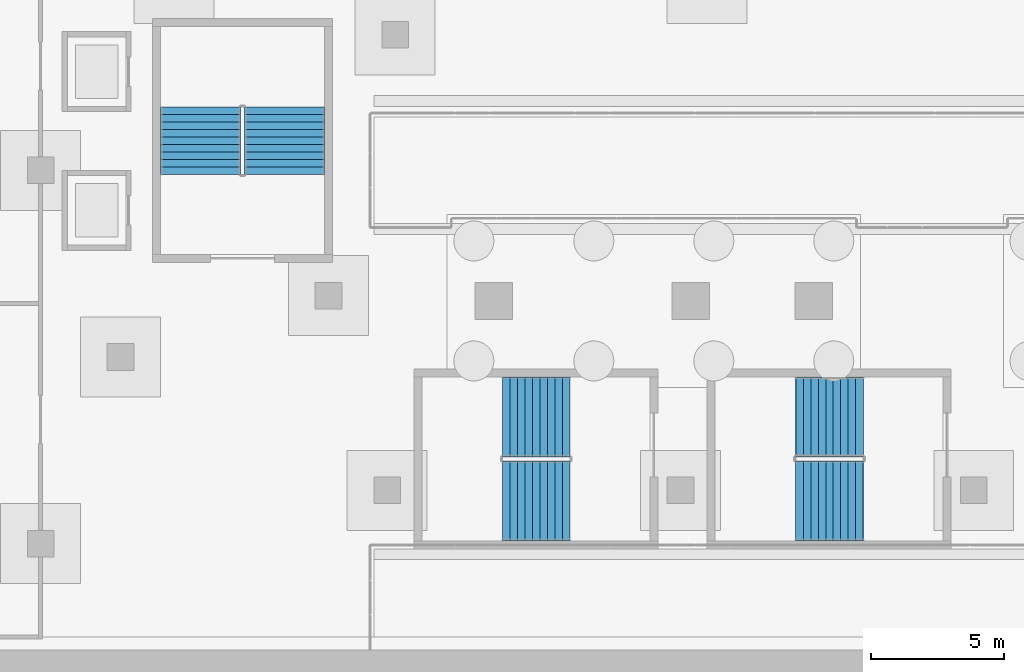
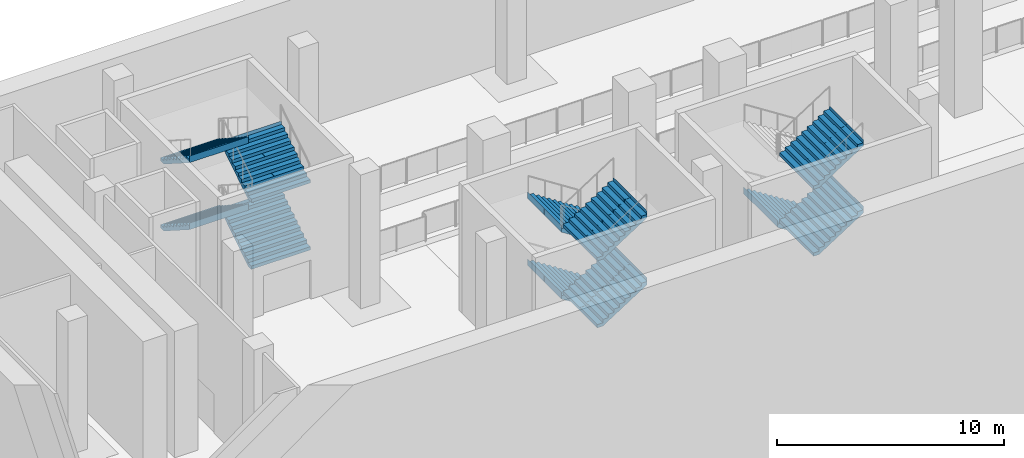
# One storey, part 6 of 15: 11 stair flights, 3 elements without a shape of their own.
"""IFC4 building model written with IfcOpenShell, lengths in metres."""

from ifc_helpers import new_model, si_unit, direction, frame, origin, place, context, subcontext, project, spatial, polyline, outline, extrude, material, type_object, element, aggregate, save


model = new_model("IFC4")

# Units and contexts
model_context = context("Model", 3, precision=1e-05, world=origin(), true_north=direction((0.0, 1.0)))
body_context = subcontext(model_context, "Body", "Model", "MODEL_VIEW")
ifc_project = project(units=[si_unit("LENGTHUNIT", "METRE"), si_unit("AREAUNIT", "SQUARE_METRE"), si_unit("VOLUMEUNIT", "CUBIC_METRE"), si_unit("PLANEANGLEUNIT", "RADIAN"), si_unit("MASSUNIT", "GRAM", prefix="KILO")], contexts=[model_context])

# Site, building, storey
site_placement = place(None, origin())
site = spatial("IfcSite", under=ifc_project, at=site_placement, CompositionType="ELEMENT")
building_placement = place(site_placement, origin())
building = spatial("IfcBuilding", under=site, at=building_placement, Name="Wharfspan Tower", CompositionType="ELEMENT")
storey_placement = place(building_placement, frame((0.0, 0.0, -14.399902)))
storey = spatial("IfcBuildingStorey", under=building, at=storey_placement, Name="B2", CompositionType="ELEMENT", Elevation=-14.399902)

# Stair, stair flights
ifc_material = material(Name="Concrete C40/50", Category="concrete")
stair_type = type_object("IfcStairType", Name="Half-turn stair 3000 wide 40 risers 180 mm", PredefinedType="HALF_TURN_STAIR", material=ifc_material)
stair_1_placement = place(storey_placement, origin())
stair_1 = element("IfcStair", 1, at=stair_1_placement, inside=storey, type_object=stair_type, Name="B2 stair SB1", PredefinedType="HALF_TURN_STAIR")
stair_flight_type = type_object("IfcStairFlightType", Name="Stair flight 3000 wide 40 risers 180 mm", PredefinedType="STRAIGHT", material=ifc_material)
stair_flight_1_placement = place(storey_placement, frame((14.850098, -26.25, 0.0), z_axis=(0.0, 0.0, 1.0), x_axis=(-1.0, 0.0, 0.0)))
stair_flight_1 = element("IfcStairFlight", 2, at=stair_flight_1_placement, type_object=stair_flight_type, Name="SB1 flight 1", NumberOfRisers=10, NumberOfTreads=9, PredefinedType="STRAIGHT", RiserHeight=0.18, TreadLength=0.28, context=body_context, shape_type="SweptSolid", body=[
    extrude(outline(polyline([(-0.011963, 0.0), (-0.011963, 0.179932), (0.0, 0.179932), (0.280029, 0.179932), (0.280029, 0.360107), (0.560059, 0.360107), (0.560059, 0.540039), (0.840088, 0.540039), (0.840088, 0.719971), (1.120117, 0.719971), (1.120117, 0.899902), (1.399902, 0.899902), (1.399902, 1.080078), (1.679932, 1.080078), (1.679932, 1.26001), (1.959961, 1.26001), (1.959961, 1.439941), (2.23999, 1.439941), (2.23999, 1.620117), (2.52002, 1.620117), (2.531982, 1.800049), (2.531982, 1.441895), (0.2771, 0.0), (-0.011963, 0.0)])), frame((0.0, 1.5, 0.0), z_axis=(0.0, -1.0, 0.0), x_axis=(1.0, 0.0, 0.0)), (0.0, 0.0, 1.0), 1.479492),
    extrude(outline(polyline([(-0.011963, 0.0), (-0.011963, 0.179932), (0.0, 0.179932), (0.280029, 0.179932), (0.280029, 0.360107), (0.560059, 0.360107), (0.560059, 0.540039), (0.840088, 0.540039), (0.840088, 0.719971), (1.120117, 0.719971), (1.120117, 0.899902), (1.399902, 0.899902), (1.399902, 1.080078), (1.679932, 1.080078), (1.679932, 1.26001), (1.959961, 1.26001), (1.959961, 1.439941), (2.23999, 1.439941), (2.23999, 1.620117), (2.52002, 1.620117), (2.531982, 1.800049), (2.531982, 1.441895), (0.2771, 0.0), (-0.011963, 0.0)])), frame((0.0, 0.019531, 0.0), z_axis=(0.0, -1.0, 0.0), x_axis=(1.0, 0.0, 0.0)), (0.0, 0.0, 1.0), 0.019043),
    extrude(outline(polyline([(-0.011963, 0.0), (-0.011963, 0.179932), (0.0, 0.179932), (0.280029, 0.179932), (0.280029, 0.360107), (0.560059, 0.360107), (0.560059, 0.540039), (0.840088, 0.540039), (0.840088, 0.719971), (1.120117, 0.719971), (1.120117, 0.899902), (1.399902, 0.899902), (1.399902, 1.080078), (1.679932, 1.080078), (1.679932, 1.26001), (1.959961, 1.26001), (1.959961, 1.439941), (2.23999, 1.439941), (2.23999, 1.620117), (2.52002, 1.620117), (2.531982, 1.800049), (2.531982, 1.441895), (0.2771, 0.0), (-0.011963, 0.0)])), frame((0.0, -0.000488, 0.0), z_axis=(0.0, -1.0, 0.0), x_axis=(1.0, 0.0, 0.0)), (0.0, 0.0, 1.0), 0.019043),
    extrude(outline(polyline([(-0.011963, 0.0), (-0.011963, 0.179932), (0.0, 0.179932), (0.280029, 0.179932), (0.280029, 0.360107), (0.560059, 0.360107), (0.560059, 0.540039), (0.840088, 0.540039), (0.840088, 0.719971), (1.120117, 0.719971), (1.120117, 0.899902), (1.399902, 0.899902), (1.399902, 1.080078), (1.679932, 1.080078), (1.679932, 1.26001), (1.959961, 1.26001), (1.959961, 1.439941), (2.23999, 1.439941), (2.23999, 1.620117), (2.52002, 1.620117), (2.531982, 1.800049), (2.531982, 1.441895), (0.2771, 0.0), (-0.011963, 0.0)])), frame((0.0, -0.020508, 0.0), z_axis=(0.0, -1.0, 0.0), x_axis=(1.0, 0.0, 0.0)), (0.0, 0.0, 1.0), 1.479492),
])
stair_flight_2_placement = place(storey_placement, frame((12.330078, -29.399902, 1.799805), z_axis=(0.0, 0.0, 1.0), x_axis=(1.0, 0.0, 0.0)))
stair_flight_2 = element("IfcStairFlight", 3, at=stair_flight_2_placement, type_object=stair_flight_type, Name="SB1 flight 2", NumberOfRisers=10, NumberOfTreads=9, PredefinedType="STRAIGHT", RiserHeight=0.18, TreadLength=0.28, context=body_context, shape_type="SweptSolid", body=[
    extrude(outline(polyline([(-0.011963, 0.0), (-0.011963, 0.179932), (0.0, 0.179932), (0.280029, 0.179932), (0.280029, 0.360107), (0.560059, 0.360107), (0.560059, 0.540039), (0.840088, 0.540039), (0.840088, 0.719971), (1.120117, 0.719971), (1.120117, 0.899902), (1.399902, 0.899902), (1.399902, 1.080078), (1.679932, 1.080078), (1.679932, 1.26001), (1.959961, 1.26001), (1.959961, 1.439941), (2.23999, 1.439941), (2.23999, 1.620117), (2.52002, 1.620117), (2.531982, 1.800049), (2.531982, 1.441895), (0.2771, 0.0), (-0.011963, 0.0)])), frame((0.0, 1.5, 0.0), z_axis=(0.0, -1.0, 0.0), x_axis=(1.0, 0.0, 0.0)), (0.0, 0.0, 1.0), 1.479492),
    extrude(outline(polyline([(-0.011963, 0.0), (-0.011963, 0.179932), (0.0, 0.179932), (0.280029, 0.179932), (0.280029, 0.360107), (0.560059, 0.360107), (0.560059, 0.540039), (0.840088, 0.540039), (0.840088, 0.719971), (1.120117, 0.719971), (1.120117, 0.899902), (1.399902, 0.899902), (1.399902, 1.080078), (1.679932, 1.080078), (1.679932, 1.26001), (1.959961, 1.26001), (1.959961, 1.439941), (2.23999, 1.439941), (2.23999, 1.620117), (2.52002, 1.620117), (2.531982, 1.800049), (2.531982, 1.441895), (0.2771, 0.0), (-0.011963, 0.0)])), frame((0.0, 0.019531, 0.0), z_axis=(0.0, -1.0, 0.0), x_axis=(1.0, 0.0, 0.0)), (0.0, 0.0, 1.0), 0.019043),
    extrude(outline(polyline([(-0.011963, 0.0), (-0.011963, 0.179932), (0.0, 0.179932), (0.280029, 0.179932), (0.280029, 0.360107), (0.560059, 0.360107), (0.560059, 0.540039), (0.840088, 0.540039), (0.840088, 0.719971), (1.120117, 0.719971), (1.120117, 0.899902), (1.399902, 0.899902), (1.399902, 1.080078), (1.679932, 1.080078), (1.679932, 1.26001), (1.959961, 1.26001), (1.959961, 1.439941), (2.23999, 1.439941), (2.23999, 1.620117), (2.52002, 1.620117), (2.531982, 1.800049), (2.531982, 1.441895), (0.2771, 0.0), (-0.011963, 0.0)])), frame((0.0, -0.000488, 0.0), z_axis=(0.0, -1.0, 0.0), x_axis=(1.0, 0.0, 0.0)), (0.0, 0.0, 1.0), 0.019043),
    extrude(outline(polyline([(-0.011963, 0.0), (-0.011963, 0.179932), (0.0, 0.179932), (0.280029, 0.179932), (0.280029, 0.360107), (0.560059, 0.360107), (0.560059, 0.540039), (0.840088, 0.540039), (0.840088, 0.719971), (1.120117, 0.719971), (1.120117, 0.899902), (1.399902, 0.899902), (1.399902, 1.080078), (1.679932, 1.080078), (1.679932, 1.26001), (1.959961, 1.26001), (1.959961, 1.439941), (2.23999, 1.439941), (2.23999, 1.620117), (2.52002, 1.620117), (2.531982, 1.800049), (2.531982, 1.441895), (0.2771, 0.0), (-0.011963, 0.0)])), frame((0.0, -0.020508, 0.0), z_axis=(0.0, -1.0, 0.0), x_axis=(1.0, 0.0, 0.0)), (0.0, 0.0, 1.0), 1.479492),
])
stair_flight_3_placement = place(storey_placement, frame((14.850098, -26.25, 3.599854), z_axis=(0.0, 0.0, 1.0), x_axis=(-1.0, 0.0, 0.0)))
stair_flight_3 = element("IfcStairFlight", 4, at=stair_flight_3_placement, type_object=stair_flight_type, Name="SB1 flight 3", NumberOfRisers=10, NumberOfTreads=9, PredefinedType="STRAIGHT", RiserHeight=0.18, TreadLength=0.28, context=body_context, shape_type="SweptSolid", body=[
    extrude(outline(polyline([(-0.011963, 0.0), (-0.011963, 0.179932), (0.0, 0.179932), (0.280029, 0.179932), (0.280029, 0.360107), (0.560059, 0.360107), (0.560059, 0.540039), (0.840088, 0.540039), (0.840088, 0.719971), (1.120117, 0.719971), (1.120117, 0.899902), (1.399902, 0.899902), (1.399902, 1.080078), (1.679932, 1.080078), (1.679932, 1.26001), (1.959961, 1.26001), (1.959961, 1.439941), (2.23999, 1.439941), (2.23999, 1.620117), (2.52002, 1.620117), (2.531982, 1.800049), (2.531982, 1.441895), (0.2771, 0.0), (-0.011963, 0.0)])), frame((0.0, 1.5, 0.0), z_axis=(0.0, -1.0, 0.0), x_axis=(1.0, 0.0, 0.0)), (0.0, 0.0, 1.0), 1.479492),
    extrude(outline(polyline([(-0.011963, 0.0), (-0.011963, 0.179932), (0.0, 0.179932), (0.280029, 0.179932), (0.280029, 0.360107), (0.560059, 0.360107), (0.560059, 0.540039), (0.840088, 0.540039), (0.840088, 0.719971), (1.120117, 0.719971), (1.120117, 0.899902), (1.399902, 0.899902), (1.399902, 1.080078), (1.679932, 1.080078), (1.679932, 1.26001), (1.959961, 1.26001), (1.959961, 1.439941), (2.23999, 1.439941), (2.23999, 1.620117), (2.52002, 1.620117), (2.531982, 1.800049), (2.531982, 1.441895), (0.2771, 0.0), (-0.011963, 0.0)])), frame((0.0, 0.019531, 0.0), z_axis=(0.0, -1.0, 0.0), x_axis=(1.0, 0.0, 0.0)), (0.0, 0.0, 1.0), 0.019043),
    extrude(outline(polyline([(-0.011963, 0.0), (-0.011963, 0.179932), (0.0, 0.179932), (0.280029, 0.179932), (0.280029, 0.360107), (0.560059, 0.360107), (0.560059, 0.540039), (0.840088, 0.540039), (0.840088, 0.719971), (1.120117, 0.719971), (1.120117, 0.899902), (1.399902, 0.899902), (1.399902, 1.080078), (1.679932, 1.080078), (1.679932, 1.26001), (1.959961, 1.26001), (1.959961, 1.439941), (2.23999, 1.439941), (2.23999, 1.620117), (2.52002, 1.620117), (2.531982, 1.800049), (2.531982, 1.441895), (0.2771, 0.0), (-0.011963, 0.0)])), frame((0.0, -0.000488, 0.0), z_axis=(0.0, -1.0, 0.0), x_axis=(1.0, 0.0, 0.0)), (0.0, 0.0, 1.0), 0.019043),
    extrude(outline(polyline([(-0.011963, 0.0), (-0.011963, 0.179932), (0.0, 0.179932), (0.280029, 0.179932), (0.280029, 0.360107), (0.560059, 0.360107), (0.560059, 0.540039), (0.840088, 0.540039), (0.840088, 0.719971), (1.120117, 0.719971), (1.120117, 0.899902), (1.399902, 0.899902), (1.399902, 1.080078), (1.679932, 1.080078), (1.679932, 1.26001), (1.959961, 1.26001), (1.959961, 1.439941), (2.23999, 1.439941), (2.23999, 1.620117), (2.52002, 1.620117), (2.531982, 1.800049), (2.531982, 1.441895), (0.2771, 0.0), (-0.011963, 0.0)])), frame((0.0, -0.020508, 0.0), z_axis=(0.0, -1.0, 0.0), x_axis=(1.0, 0.0, 0.0)), (0.0, 0.0, 1.0), 1.479492),
])
stair_flight_4_placement = place(storey_placement, frame((12.330078, -29.399902, 5.399902), z_axis=(0.0, 0.0, 1.0), x_axis=(1.0, 0.0, 0.0)))
stair_flight_4 = element("IfcStairFlight", 5, at=stair_flight_4_placement, type_object=stair_flight_type, Name="SB1 flight 4", NumberOfRisers=10, NumberOfTreads=9, PredefinedType="STRAIGHT", RiserHeight=0.18, TreadLength=0.28, context=body_context, shape_type="SweptSolid", body=[
    extrude(outline(polyline([(-0.011963, 0.0), (-0.011963, 0.179932), (0.0, 0.179932), (0.280029, 0.179932), (0.280029, 0.360107), (0.560059, 0.360107), (0.560059, 0.540039), (0.840088, 0.540039), (0.840088, 0.719971), (1.120117, 0.719971), (1.120117, 0.899902), (1.399902, 0.899902), (1.399902, 1.080078), (1.679932, 1.080078), (1.679932, 1.26001), (1.959961, 1.26001), (1.959961, 1.439941), (2.23999, 1.439941), (2.23999, 1.620117), (2.52002, 1.620117), (2.531982, 1.800049), (2.531982, 1.441895), (0.2771, 0.0), (-0.011963, 0.0)])), frame((0.0, 1.5, 0.0), z_axis=(0.0, -1.0, 0.0), x_axis=(1.0, 0.0, 0.0)), (0.0, 0.0, 1.0), 1.479492),
    extrude(outline(polyline([(-0.011963, 0.0), (-0.011963, 0.179932), (0.0, 0.179932), (0.280029, 0.179932), (0.280029, 0.360107), (0.560059, 0.360107), (0.560059, 0.540039), (0.840088, 0.540039), (0.840088, 0.719971), (1.120117, 0.719971), (1.120117, 0.899902), (1.399902, 0.899902), (1.399902, 1.080078), (1.679932, 1.080078), (1.679932, 1.26001), (1.959961, 1.26001), (1.959961, 1.439941), (2.23999, 1.439941), (2.23999, 1.620117), (2.52002, 1.620117), (2.531982, 1.800049), (2.531982, 1.441895), (0.2771, 0.0), (-0.011963, 0.0)])), frame((0.0, 0.019531, 0.0), z_axis=(0.0, -1.0, 0.0), x_axis=(1.0, 0.0, 0.0)), (0.0, 0.0, 1.0), 0.019043),
    extrude(outline(polyline([(-0.011963, 0.0), (-0.011963, 0.179932), (0.0, 0.179932), (0.280029, 0.179932), (0.280029, 0.360107), (0.560059, 0.360107), (0.560059, 0.540039), (0.840088, 0.540039), (0.840088, 0.719971), (1.120117, 0.719971), (1.120117, 0.899902), (1.399902, 0.899902), (1.399902, 1.080078), (1.679932, 1.080078), (1.679932, 1.26001), (1.959961, 1.26001), (1.959961, 1.439941), (2.23999, 1.439941), (2.23999, 1.620117), (2.52002, 1.620117), (2.531982, 1.800049), (2.531982, 1.441895), (0.2771, 0.0), (-0.011963, 0.0)])), frame((0.0, -0.000488, 0.0), z_axis=(0.0, -1.0, 0.0), x_axis=(1.0, 0.0, 0.0)), (0.0, 0.0, 1.0), 0.019043),
    extrude(outline(polyline([(-0.011963, 0.0), (-0.011963, 0.179932), (0.0, 0.179932), (0.280029, 0.179932), (0.280029, 0.360107), (0.560059, 0.360107), (0.560059, 0.540039), (0.840088, 0.540039), (0.840088, 0.719971), (1.120117, 0.719971), (1.120117, 0.899902), (1.399902, 0.899902), (1.399902, 1.080078), (1.679932, 1.080078), (1.679932, 1.26001), (1.959961, 1.26001), (1.959961, 1.439941), (2.23999, 1.439941), (2.23999, 1.620117), (2.52002, 1.620117), (2.531982, 1.800049), (2.531982, 1.441895), (0.2771, 0.0), (-0.011963, 0.0)])), frame((0.0, -0.020508, 0.0), z_axis=(0.0, -1.0, 0.0), x_axis=(1.0, 0.0, 0.0)), (0.0, 0.0, 1.0), 1.479492),
])
aggregate(stair_1, [stair_flight_1, stair_flight_2, stair_flight_3, stair_flight_4])

stair_2_placement = place(storey_placement, origin())
stair_2 = element("IfcStair", 6, at=stair_2_placement, inside=storey, type_object=stair_type, Name="B2 stair SB2", PredefinedType="HALF_TURN_STAIR")
stair_flight_5_placement = place(storey_placement, frame((25.850098, -26.25, 0.0), z_axis=(0.0, 0.0, 1.0), x_axis=(-1.0, 0.0, 0.0)))
stair_flight_5 = element("IfcStairFlight", 7, at=stair_flight_5_placement, type_object=stair_flight_type, Name="SB2 flight 1", NumberOfRisers=10, NumberOfTreads=9, PredefinedType="STRAIGHT", RiserHeight=0.18, TreadLength=0.28, context=body_context, shape_type="SweptSolid", body=[
    extrude(outline(polyline([(-0.011963, 0.0), (-0.011963, 0.179932), (0.0, 0.179932), (0.280029, 0.179932), (0.280029, 0.360107), (0.560059, 0.360107), (0.560059, 0.540039), (0.840088, 0.540039), (0.840088, 0.719971), (1.120117, 0.719971), (1.120117, 0.899902), (1.399902, 0.899902), (1.399902, 1.080078), (1.679932, 1.080078), (1.679932, 1.26001), (1.959961, 1.26001), (1.959961, 1.439941), (2.23999, 1.439941), (2.23999, 1.620117), (2.52002, 1.620117), (2.531982, 1.800049), (2.531982, 1.441895), (0.2771, 0.0), (-0.011963, 0.0)])), frame((0.0, 1.5, 0.0), z_axis=(0.0, -1.0, 0.0), x_axis=(1.0, 0.0, 0.0)), (0.0, 0.0, 1.0), 1.479492),
    extrude(outline(polyline([(-0.011963, 0.0), (-0.011963, 0.179932), (0.0, 0.179932), (0.280029, 0.179932), (0.280029, 0.360107), (0.560059, 0.360107), (0.560059, 0.540039), (0.840088, 0.540039), (0.840088, 0.719971), (1.120117, 0.719971), (1.120117, 0.899902), (1.399902, 0.899902), (1.399902, 1.080078), (1.679932, 1.080078), (1.679932, 1.26001), (1.959961, 1.26001), (1.959961, 1.439941), (2.23999, 1.439941), (2.23999, 1.620117), (2.52002, 1.620117), (2.531982, 1.800049), (2.531982, 1.441895), (0.2771, 0.0), (-0.011963, 0.0)])), frame((0.0, 0.019531, 0.0), z_axis=(0.0, -1.0, 0.0), x_axis=(1.0, 0.0, 0.0)), (0.0, 0.0, 1.0), 0.019043),
    extrude(outline(polyline([(-0.011963, 0.0), (-0.011963, 0.179932), (0.0, 0.179932), (0.280029, 0.179932), (0.280029, 0.360107), (0.560059, 0.360107), (0.560059, 0.540039), (0.840088, 0.540039), (0.840088, 0.719971), (1.120117, 0.719971), (1.120117, 0.899902), (1.399902, 0.899902), (1.399902, 1.080078), (1.679932, 1.080078), (1.679932, 1.26001), (1.959961, 1.26001), (1.959961, 1.439941), (2.23999, 1.439941), (2.23999, 1.620117), (2.52002, 1.620117), (2.531982, 1.800049), (2.531982, 1.441895), (0.2771, 0.0), (-0.011963, 0.0)])), frame((0.0, -0.000488, 0.0), z_axis=(0.0, -1.0, 0.0), x_axis=(1.0, 0.0, 0.0)), (0.0, 0.0, 1.0), 0.019043),
    extrude(outline(polyline([(-0.011963, 0.0), (-0.011963, 0.179932), (0.0, 0.179932), (0.280029, 0.179932), (0.280029, 0.360107), (0.560059, 0.360107), (0.560059, 0.540039), (0.840088, 0.540039), (0.840088, 0.719971), (1.120117, 0.719971), (1.120117, 0.899902), (1.399902, 0.899902), (1.399902, 1.080078), (1.679932, 1.080078), (1.679932, 1.26001), (1.959961, 1.26001), (1.959961, 1.439941), (2.23999, 1.439941), (2.23999, 1.620117), (2.52002, 1.620117), (2.531982, 1.800049), (2.531982, 1.441895), (0.2771, 0.0), (-0.011963, 0.0)])), frame((0.0, -0.020508, 0.0), z_axis=(0.0, -1.0, 0.0), x_axis=(1.0, 0.0, 0.0)), (0.0, 0.0, 1.0), 1.479492),
])
stair_flight_6_placement = place(storey_placement, frame((23.330078, -29.399902, 1.799805), z_axis=(0.0, 0.0, 1.0), x_axis=(1.0, 0.0, 0.0)))
stair_flight_6 = element("IfcStairFlight", 8, at=stair_flight_6_placement, type_object=stair_flight_type, Name="SB2 flight 2", NumberOfRisers=10, NumberOfTreads=9, PredefinedType="STRAIGHT", RiserHeight=0.18, TreadLength=0.28, context=body_context, shape_type="SweptSolid", body=[
    extrude(outline(polyline([(-0.011963, 0.0), (-0.011963, 0.179932), (0.0, 0.179932), (0.280029, 0.179932), (0.280029, 0.360107), (0.560059, 0.360107), (0.560059, 0.540039), (0.840088, 0.540039), (0.840088, 0.719971), (1.120117, 0.719971), (1.120117, 0.899902), (1.399902, 0.899902), (1.399902, 1.080078), (1.679932, 1.080078), (1.679932, 1.26001), (1.959961, 1.26001), (1.959961, 1.439941), (2.23999, 1.439941), (2.23999, 1.620117), (2.52002, 1.620117), (2.531982, 1.800049), (2.531982, 1.441895), (0.2771, 0.0), (-0.011963, 0.0)])), frame((0.0, 1.5, 0.0), z_axis=(0.0, -1.0, 0.0), x_axis=(1.0, 0.0, 0.0)), (0.0, 0.0, 1.0), 1.479492),
    extrude(outline(polyline([(-0.011963, 0.0), (-0.011963, 0.179932), (0.0, 0.179932), (0.280029, 0.179932), (0.280029, 0.360107), (0.560059, 0.360107), (0.560059, 0.540039), (0.840088, 0.540039), (0.840088, 0.719971), (1.120117, 0.719971), (1.120117, 0.899902), (1.399902, 0.899902), (1.399902, 1.080078), (1.679932, 1.080078), (1.679932, 1.26001), (1.959961, 1.26001), (1.959961, 1.439941), (2.23999, 1.439941), (2.23999, 1.620117), (2.52002, 1.620117), (2.531982, 1.800049), (2.531982, 1.441895), (0.2771, 0.0), (-0.011963, 0.0)])), frame((0.0, 0.019531, 0.0), z_axis=(0.0, -1.0, 0.0), x_axis=(1.0, 0.0, 0.0)), (0.0, 0.0, 1.0), 0.019043),
    extrude(outline(polyline([(-0.011963, 0.0), (-0.011963, 0.179932), (0.0, 0.179932), (0.280029, 0.179932), (0.280029, 0.360107), (0.560059, 0.360107), (0.560059, 0.540039), (0.840088, 0.540039), (0.840088, 0.719971), (1.120117, 0.719971), (1.120117, 0.899902), (1.399902, 0.899902), (1.399902, 1.080078), (1.679932, 1.080078), (1.679932, 1.26001), (1.959961, 1.26001), (1.959961, 1.439941), (2.23999, 1.439941), (2.23999, 1.620117), (2.52002, 1.620117), (2.531982, 1.800049), (2.531982, 1.441895), (0.2771, 0.0), (-0.011963, 0.0)])), frame((0.0, -0.000488, 0.0), z_axis=(0.0, -1.0, 0.0), x_axis=(1.0, 0.0, 0.0)), (0.0, 0.0, 1.0), 0.019043),
    extrude(outline(polyline([(-0.011963, 0.0), (-0.011963, 0.179932), (0.0, 0.179932), (0.280029, 0.179932), (0.280029, 0.360107), (0.560059, 0.360107), (0.560059, 0.540039), (0.840088, 0.540039), (0.840088, 0.719971), (1.120117, 0.719971), (1.120117, 0.899902), (1.399902, 0.899902), (1.399902, 1.080078), (1.679932, 1.080078), (1.679932, 1.26001), (1.959961, 1.26001), (1.959961, 1.439941), (2.23999, 1.439941), (2.23999, 1.620117), (2.52002, 1.620117), (2.531982, 1.800049), (2.531982, 1.441895), (0.2771, 0.0), (-0.011963, 0.0)])), frame((0.0, -0.020508, 0.0), z_axis=(0.0, -1.0, 0.0), x_axis=(1.0, 0.0, 0.0)), (0.0, 0.0, 1.0), 1.479492),
])
stair_flight_7_placement = place(storey_placement, frame((23.330078, -29.399902, 5.399902), z_axis=(0.0, 0.0, 1.0), x_axis=(1.0, 0.0, 0.0)))
stair_flight_7 = element("IfcStairFlight", 9, at=stair_flight_7_placement, type_object=stair_flight_type, Name="SB2 flight 4", NumberOfRisers=10, NumberOfTreads=9, PredefinedType="STRAIGHT", RiserHeight=0.18, TreadLength=0.28, context=body_context, shape_type="SweptSolid", body=[
    extrude(outline(polyline([(-0.011963, 0.0), (-0.011963, 0.179932), (0.0, 0.179932), (0.280029, 0.179932), (0.280029, 0.360107), (0.560059, 0.360107), (0.560059, 0.540039), (0.840088, 0.540039), (0.840088, 0.719971), (1.120117, 0.719971), (1.120117, 0.899902), (1.399902, 0.899902), (1.399902, 1.080078), (1.679932, 1.080078), (1.679932, 1.26001), (1.959961, 1.26001), (1.959961, 1.439941), (2.23999, 1.439941), (2.23999, 1.620117), (2.52002, 1.620117), (2.531982, 1.800049), (2.531982, 1.441895), (0.2771, 0.0), (-0.011963, 0.0)])), frame((0.0, 1.5, 0.0), z_axis=(0.0, -1.0, 0.0), x_axis=(1.0, 0.0, 0.0)), (0.0, 0.0, 1.0), 1.479492),
    extrude(outline(polyline([(-0.011963, 0.0), (-0.011963, 0.179932), (0.0, 0.179932), (0.280029, 0.179932), (0.280029, 0.360107), (0.560059, 0.360107), (0.560059, 0.540039), (0.840088, 0.540039), (0.840088, 0.719971), (1.120117, 0.719971), (1.120117, 0.899902), (1.399902, 0.899902), (1.399902, 1.080078), (1.679932, 1.080078), (1.679932, 1.26001), (1.959961, 1.26001), (1.959961, 1.439941), (2.23999, 1.439941), (2.23999, 1.620117), (2.52002, 1.620117), (2.531982, 1.800049), (2.531982, 1.441895), (0.2771, 0.0), (-0.011963, 0.0)])), frame((0.0, 0.019531, 0.0), z_axis=(0.0, -1.0, 0.0), x_axis=(1.0, 0.0, 0.0)), (0.0, 0.0, 1.0), 0.019043),
    extrude(outline(polyline([(-0.011963, 0.0), (-0.011963, 0.179932), (0.0, 0.179932), (0.280029, 0.179932), (0.280029, 0.360107), (0.560059, 0.360107), (0.560059, 0.540039), (0.840088, 0.540039), (0.840088, 0.719971), (1.120117, 0.719971), (1.120117, 0.899902), (1.399902, 0.899902), (1.399902, 1.080078), (1.679932, 1.080078), (1.679932, 1.26001), (1.959961, 1.26001), (1.959961, 1.439941), (2.23999, 1.439941), (2.23999, 1.620117), (2.52002, 1.620117), (2.531982, 1.800049), (2.531982, 1.441895), (0.2771, 0.0), (-0.011963, 0.0)])), frame((0.0, -0.000488, 0.0), z_axis=(0.0, -1.0, 0.0), x_axis=(1.0, 0.0, 0.0)), (0.0, 0.0, 1.0), 0.019043),
    extrude(outline(polyline([(-0.011963, 0.0), (-0.011963, 0.179932), (0.0, 0.179932), (0.280029, 0.179932), (0.280029, 0.360107), (0.560059, 0.360107), (0.560059, 0.540039), (0.840088, 0.540039), (0.840088, 0.719971), (1.120117, 0.719971), (1.120117, 0.899902), (1.399902, 0.899902), (1.399902, 1.080078), (1.679932, 1.080078), (1.679932, 1.26001), (1.959961, 1.26001), (1.959961, 1.439941), (2.23999, 1.439941), (2.23999, 1.620117), (2.52002, 1.620117), (2.531982, 1.800049), (2.531982, 1.441895), (0.2771, 0.0), (-0.011963, 0.0)])), frame((0.0, -0.020508, 0.0), z_axis=(0.0, -1.0, 0.0), x_axis=(1.0, 0.0, 0.0)), (0.0, 0.0, 1.0), 1.479492),
])
aggregate(stair_2, [stair_flight_5, stair_flight_6, stair_flight_7])

stair_3_placement = place(storey_placement, origin())
stair_3 = element("IfcStair", 10, at=stair_3_placement, inside=storey, type_object=stair_type, Name="B2 stair SB6", PredefinedType="HALF_TURN_STAIR")
stair_flight_8_placement = place(storey_placement, frame((4.149902, -17.149902, 0.0), z_axis=(0.0, 0.0, 1.0), x_axis=(0.0, 1.0, 0.0)))
stair_flight_8 = element("IfcStairFlight", 11, at=stair_flight_8_placement, type_object=stair_flight_type, Name="SB6 flight 1", NumberOfRisers=10, NumberOfTreads=9, PredefinedType="STRAIGHT", RiserHeight=0.18, TreadLength=0.28, context=body_context, shape_type="SweptSolid", body=[
    extrude(outline(polyline([(-0.011963, 0.0), (-0.011963, 0.179932), (0.0, 0.179932), (0.280029, 0.179932), (0.280029, 0.360107), (0.560059, 0.360107), (0.560059, 0.540039), (0.840088, 0.540039), (0.840088, 0.719971), (1.120117, 0.719971), (1.120117, 0.899902), (1.399902, 0.899902), (1.399902, 1.080078), (1.679932, 1.080078), (1.679932, 1.26001), (1.959961, 1.26001), (1.959961, 1.439941), (2.23999, 1.439941), (2.23999, 1.620117), (2.52002, 1.620117), (2.531982, 1.800049), (2.531982, 1.441895), (0.2771, 0.0), (-0.011963, 0.0)])), frame((0.0, 1.5, 0.0), z_axis=(0.0, -1.0, 0.0), x_axis=(1.0, 0.0, 0.0)), (0.0, 0.0, 1.0), 1.479492),
    extrude(outline(polyline([(-0.011963, 0.0), (-0.011963, 0.179932), (0.0, 0.179932), (0.280029, 0.179932), (0.280029, 0.360107), (0.560059, 0.360107), (0.560059, 0.540039), (0.840088, 0.540039), (0.840088, 0.719971), (1.120117, 0.719971), (1.120117, 0.899902), (1.399902, 0.899902), (1.399902, 1.080078), (1.679932, 1.080078), (1.679932, 1.26001), (1.959961, 1.26001), (1.959961, 1.439941), (2.23999, 1.439941), (2.23999, 1.620117), (2.52002, 1.620117), (2.531982, 1.800049), (2.531982, 1.441895), (0.2771, 0.0), (-0.011963, 0.0)])), frame((0.0, 0.019531, 0.0), z_axis=(0.0, -1.0, 0.0), x_axis=(1.0, 0.0, 0.0)), (0.0, 0.0, 1.0), 0.019043),
    extrude(outline(polyline([(-0.011963, 0.0), (-0.011963, 0.179932), (0.0, 0.179932), (0.280029, 0.179932), (0.280029, 0.360107), (0.560059, 0.360107), (0.560059, 0.540039), (0.840088, 0.540039), (0.840088, 0.719971), (1.120117, 0.719971), (1.120117, 0.899902), (1.399902, 0.899902), (1.399902, 1.080078), (1.679932, 1.080078), (1.679932, 1.26001), (1.959961, 1.26001), (1.959961, 1.439941), (2.23999, 1.439941), (2.23999, 1.620117), (2.52002, 1.620117), (2.531982, 1.800049), (2.531982, 1.441895), (0.2771, 0.0), (-0.011963, 0.0)])), frame((0.0, -0.000488, 0.0), z_axis=(0.0, -1.0, 0.0), x_axis=(1.0, 0.0, 0.0)), (0.0, 0.0, 1.0), 0.019043),
    extrude(outline(polyline([(-0.011963, 0.0), (-0.011963, 0.179932), (0.0, 0.179932), (0.280029, 0.179932), (0.280029, 0.360107), (0.560059, 0.360107), (0.560059, 0.540039), (0.840088, 0.540039), (0.840088, 0.719971), (1.120117, 0.719971), (1.120117, 0.899902), (1.399902, 0.899902), (1.399902, 1.080078), (1.679932, 1.080078), (1.679932, 1.26001), (1.959961, 1.26001), (1.959961, 1.439941), (2.23999, 1.439941), (2.23999, 1.620117), (2.52002, 1.620117), (2.531982, 1.800049), (2.531982, 1.441895), (0.2771, 0.0), (-0.011963, 0.0)])), frame((0.0, -0.020508, 0.0), z_axis=(0.0, -1.0, 0.0), x_axis=(1.0, 0.0, 0.0)), (0.0, 0.0, 1.0), 1.479492),
])
stair_flight_9_placement = place(storey_placement, frame((1.0, -14.629883, 1.799805), z_axis=(0.0, 0.0, 1.0), x_axis=(0.0, -1.0, 0.0)))
stair_flight_9 = element("IfcStairFlight", 12, at=stair_flight_9_placement, type_object=stair_flight_type, Name="SB6 flight 2", NumberOfRisers=10, NumberOfTreads=9, PredefinedType="STRAIGHT", RiserHeight=0.18, TreadLength=0.28, context=body_context, shape_type="SweptSolid", body=[
    extrude(outline(polyline([(-0.011963, 0.0), (-0.011963, 0.179932), (0.0, 0.179932), (0.280029, 0.179932), (0.280029, 0.360107), (0.560059, 0.360107), (0.560059, 0.540039), (0.840088, 0.540039), (0.840088, 0.719971), (1.120117, 0.719971), (1.120117, 0.899902), (1.399902, 0.899902), (1.399902, 1.080078), (1.679932, 1.080078), (1.679932, 1.26001), (1.959961, 1.26001), (1.959961, 1.439941), (2.23999, 1.439941), (2.23999, 1.620117), (2.52002, 1.620117), (2.531982, 1.800049), (2.531982, 1.441895), (0.2771, 0.0), (-0.011963, 0.0)])), frame((0.0, 1.5, 0.0), z_axis=(0.0, -1.0, 0.0), x_axis=(1.0, 0.0, 0.0)), (0.0, 0.0, 1.0), 1.479492),
    extrude(outline(polyline([(-0.011963, 0.0), (-0.011963, 0.179932), (0.0, 0.179932), (0.280029, 0.179932), (0.280029, 0.360107), (0.560059, 0.360107), (0.560059, 0.540039), (0.840088, 0.540039), (0.840088, 0.719971), (1.120117, 0.719971), (1.120117, 0.899902), (1.399902, 0.899902), (1.399902, 1.080078), (1.679932, 1.080078), (1.679932, 1.26001), (1.959961, 1.26001), (1.959961, 1.439941), (2.23999, 1.439941), (2.23999, 1.620117), (2.52002, 1.620117), (2.531982, 1.800049), (2.531982, 1.441895), (0.2771, 0.0), (-0.011963, 0.0)])), frame((0.0, 0.019531, 0.0), z_axis=(0.0, -1.0, 0.0), x_axis=(1.0, 0.0, 0.0)), (0.0, 0.0, 1.0), 0.019043),
    extrude(outline(polyline([(-0.011963, 0.0), (-0.011963, 0.179932), (0.0, 0.179932), (0.280029, 0.179932), (0.280029, 0.360107), (0.560059, 0.360107), (0.560059, 0.540039), (0.840088, 0.540039), (0.840088, 0.719971), (1.120117, 0.719971), (1.120117, 0.899902), (1.399902, 0.899902), (1.399902, 1.080078), (1.679932, 1.080078), (1.679932, 1.26001), (1.959961, 1.26001), (1.959961, 1.439941), (2.23999, 1.439941), (2.23999, 1.620117), (2.52002, 1.620117), (2.531982, 1.800049), (2.531982, 1.441895), (0.2771, 0.0), (-0.011963, 0.0)])), frame((0.0, -0.000488, 0.0), z_axis=(0.0, -1.0, 0.0), x_axis=(1.0, 0.0, 0.0)), (0.0, 0.0, 1.0), 0.019043),
    extrude(outline(polyline([(-0.011963, 0.0), (-0.011963, 0.179932), (0.0, 0.179932), (0.280029, 0.179932), (0.280029, 0.360107), (0.560059, 0.360107), (0.560059, 0.540039), (0.840088, 0.540039), (0.840088, 0.719971), (1.120117, 0.719971), (1.120117, 0.899902), (1.399902, 0.899902), (1.399902, 1.080078), (1.679932, 1.080078), (1.679932, 1.26001), (1.959961, 1.26001), (1.959961, 1.439941), (2.23999, 1.439941), (2.23999, 1.620117), (2.52002, 1.620117), (2.531982, 1.800049), (2.531982, 1.441895), (0.2771, 0.0), (-0.011963, 0.0)])), frame((0.0, -0.020508, 0.0), z_axis=(0.0, -1.0, 0.0), x_axis=(1.0, 0.0, 0.0)), (0.0, 0.0, 1.0), 1.479492),
])
stair_flight_10_placement = place(storey_placement, frame((4.149902, -17.149902, 3.599854), z_axis=(0.0, 0.0, 1.0), x_axis=(0.0, 1.0, 0.0)))
stair_flight_10 = element("IfcStairFlight", 13, at=stair_flight_10_placement, type_object=stair_flight_type, Name="SB6 flight 3", NumberOfRisers=10, NumberOfTreads=9, PredefinedType="STRAIGHT", RiserHeight=0.18, TreadLength=0.28, context=body_context, shape_type="SweptSolid", body=[
    extrude(outline(polyline([(-0.011963, 0.0), (-0.011963, 0.179932), (0.0, 0.179932), (0.280029, 0.179932), (0.280029, 0.360107), (0.560059, 0.360107), (0.560059, 0.540039), (0.840088, 0.540039), (0.840088, 0.719971), (1.120117, 0.719971), (1.120117, 0.899902), (1.399902, 0.899902), (1.399902, 1.080078), (1.679932, 1.080078), (1.679932, 1.26001), (1.959961, 1.26001), (1.959961, 1.439941), (2.23999, 1.439941), (2.23999, 1.620117), (2.52002, 1.620117), (2.531982, 1.800049), (2.531982, 1.441895), (0.2771, 0.0), (-0.011963, 0.0)])), frame((0.0, 1.5, 0.0), z_axis=(0.0, -1.0, 0.0), x_axis=(1.0, 0.0, 0.0)), (0.0, 0.0, 1.0), 1.479492),
    extrude(outline(polyline([(-0.011963, 0.0), (-0.011963, 0.179932), (0.0, 0.179932), (0.280029, 0.179932), (0.280029, 0.360107), (0.560059, 0.360107), (0.560059, 0.540039), (0.840088, 0.540039), (0.840088, 0.719971), (1.120117, 0.719971), (1.120117, 0.899902), (1.399902, 0.899902), (1.399902, 1.080078), (1.679932, 1.080078), (1.679932, 1.26001), (1.959961, 1.26001), (1.959961, 1.439941), (2.23999, 1.439941), (2.23999, 1.620117), (2.52002, 1.620117), (2.531982, 1.800049), (2.531982, 1.441895), (0.2771, 0.0), (-0.011963, 0.0)])), frame((0.0, 0.019531, 0.0), z_axis=(0.0, -1.0, 0.0), x_axis=(1.0, 0.0, 0.0)), (0.0, 0.0, 1.0), 0.019043),
    extrude(outline(polyline([(-0.011963, 0.0), (-0.011963, 0.179932), (0.0, 0.179932), (0.280029, 0.179932), (0.280029, 0.360107), (0.560059, 0.360107), (0.560059, 0.540039), (0.840088, 0.540039), (0.840088, 0.719971), (1.120117, 0.719971), (1.120117, 0.899902), (1.399902, 0.899902), (1.399902, 1.080078), (1.679932, 1.080078), (1.679932, 1.26001), (1.959961, 1.26001), (1.959961, 1.439941), (2.23999, 1.439941), (2.23999, 1.620117), (2.52002, 1.620117), (2.531982, 1.800049), (2.531982, 1.441895), (0.2771, 0.0), (-0.011963, 0.0)])), frame((0.0, -0.000488, 0.0), z_axis=(0.0, -1.0, 0.0), x_axis=(1.0, 0.0, 0.0)), (0.0, 0.0, 1.0), 0.019043),
    extrude(outline(polyline([(-0.011963, 0.0), (-0.011963, 0.179932), (0.0, 0.179932), (0.280029, 0.179932), (0.280029, 0.360107), (0.560059, 0.360107), (0.560059, 0.540039), (0.840088, 0.540039), (0.840088, 0.719971), (1.120117, 0.719971), (1.120117, 0.899902), (1.399902, 0.899902), (1.399902, 1.080078), (1.679932, 1.080078), (1.679932, 1.26001), (1.959961, 1.26001), (1.959961, 1.439941), (2.23999, 1.439941), (2.23999, 1.620117), (2.52002, 1.620117), (2.531982, 1.800049), (2.531982, 1.441895), (0.2771, 0.0), (-0.011963, 0.0)])), frame((0.0, -0.020508, 0.0), z_axis=(0.0, -1.0, 0.0), x_axis=(1.0, 0.0, 0.0)), (0.0, 0.0, 1.0), 1.479492),
])
stair_flight_11_placement = place(storey_placement, frame((1.0, -14.629883, 5.399902), z_axis=(0.0, 0.0, 1.0), x_axis=(0.0, -1.0, 0.0)))
stair_flight_11 = element("IfcStairFlight", 14, at=stair_flight_11_placement, type_object=stair_flight_type, Name="SB6 flight 4", NumberOfRisers=10, NumberOfTreads=9, PredefinedType="STRAIGHT", RiserHeight=0.18, TreadLength=0.28, context=body_context, shape_type="SweptSolid", body=[
    extrude(outline(polyline([(-0.011963, 0.0), (-0.011963, 0.179932), (0.0, 0.179932), (0.280029, 0.179932), (0.280029, 0.360107), (0.560059, 0.360107), (0.560059, 0.540039), (0.840088, 0.540039), (0.840088, 0.719971), (1.120117, 0.719971), (1.120117, 0.899902), (1.399902, 0.899902), (1.399902, 1.080078), (1.679932, 1.080078), (1.679932, 1.26001), (1.959961, 1.26001), (1.959961, 1.439941), (2.23999, 1.439941), (2.23999, 1.620117), (2.52002, 1.620117), (2.531982, 1.800049), (2.531982, 1.441895), (0.2771, 0.0), (-0.011963, 0.0)])), frame((0.0, 1.5, 0.0), z_axis=(0.0, -1.0, 0.0), x_axis=(1.0, 0.0, 0.0)), (0.0, 0.0, 1.0), 1.479492),
    extrude(outline(polyline([(-0.011963, 0.0), (-0.011963, 0.179932), (0.0, 0.179932), (0.280029, 0.179932), (0.280029, 0.360107), (0.560059, 0.360107), (0.560059, 0.540039), (0.840088, 0.540039), (0.840088, 0.719971), (1.120117, 0.719971), (1.120117, 0.899902), (1.399902, 0.899902), (1.399902, 1.080078), (1.679932, 1.080078), (1.679932, 1.26001), (1.959961, 1.26001), (1.959961, 1.439941), (2.23999, 1.439941), (2.23999, 1.620117), (2.52002, 1.620117), (2.531982, 1.800049), (2.531982, 1.441895), (0.2771, 0.0), (-0.011963, 0.0)])), frame((0.0, 0.019531, 0.0), z_axis=(0.0, -1.0, 0.0), x_axis=(1.0, 0.0, 0.0)), (0.0, 0.0, 1.0), 0.019043),
    extrude(outline(polyline([(-0.011963, 0.0), (-0.011963, 0.179932), (0.0, 0.179932), (0.280029, 0.179932), (0.280029, 0.360107), (0.560059, 0.360107), (0.560059, 0.540039), (0.840088, 0.540039), (0.840088, 0.719971), (1.120117, 0.719971), (1.120117, 0.899902), (1.399902, 0.899902), (1.399902, 1.080078), (1.679932, 1.080078), (1.679932, 1.26001), (1.959961, 1.26001), (1.959961, 1.439941), (2.23999, 1.439941), (2.23999, 1.620117), (2.52002, 1.620117), (2.531982, 1.800049), (2.531982, 1.441895), (0.2771, 0.0), (-0.011963, 0.0)])), frame((0.0, -0.000488, 0.0), z_axis=(0.0, -1.0, 0.0), x_axis=(1.0, 0.0, 0.0)), (0.0, 0.0, 1.0), 0.019043),
    extrude(outline(polyline([(-0.011963, 0.0), (-0.011963, 0.179932), (0.0, 0.179932), (0.280029, 0.179932), (0.280029, 0.360107), (0.560059, 0.360107), (0.560059, 0.540039), (0.840088, 0.540039), (0.840088, 0.719971), (1.120117, 0.719971), (1.120117, 0.899902), (1.399902, 0.899902), (1.399902, 1.080078), (1.679932, 1.080078), (1.679932, 1.26001), (1.959961, 1.26001), (1.959961, 1.439941), (2.23999, 1.439941), (2.23999, 1.620117), (2.52002, 1.620117), (2.531982, 1.800049), (2.531982, 1.441895), (0.2771, 0.0), (-0.011963, 0.0)])), frame((0.0, -0.020508, 0.0), z_axis=(0.0, -1.0, 0.0), x_axis=(1.0, 0.0, 0.0)), (0.0, 0.0, 1.0), 1.479492),
])
aggregate(stair_3, [stair_flight_8, stair_flight_9, stair_flight_10, stair_flight_11])

save(model, "model.ifc")
